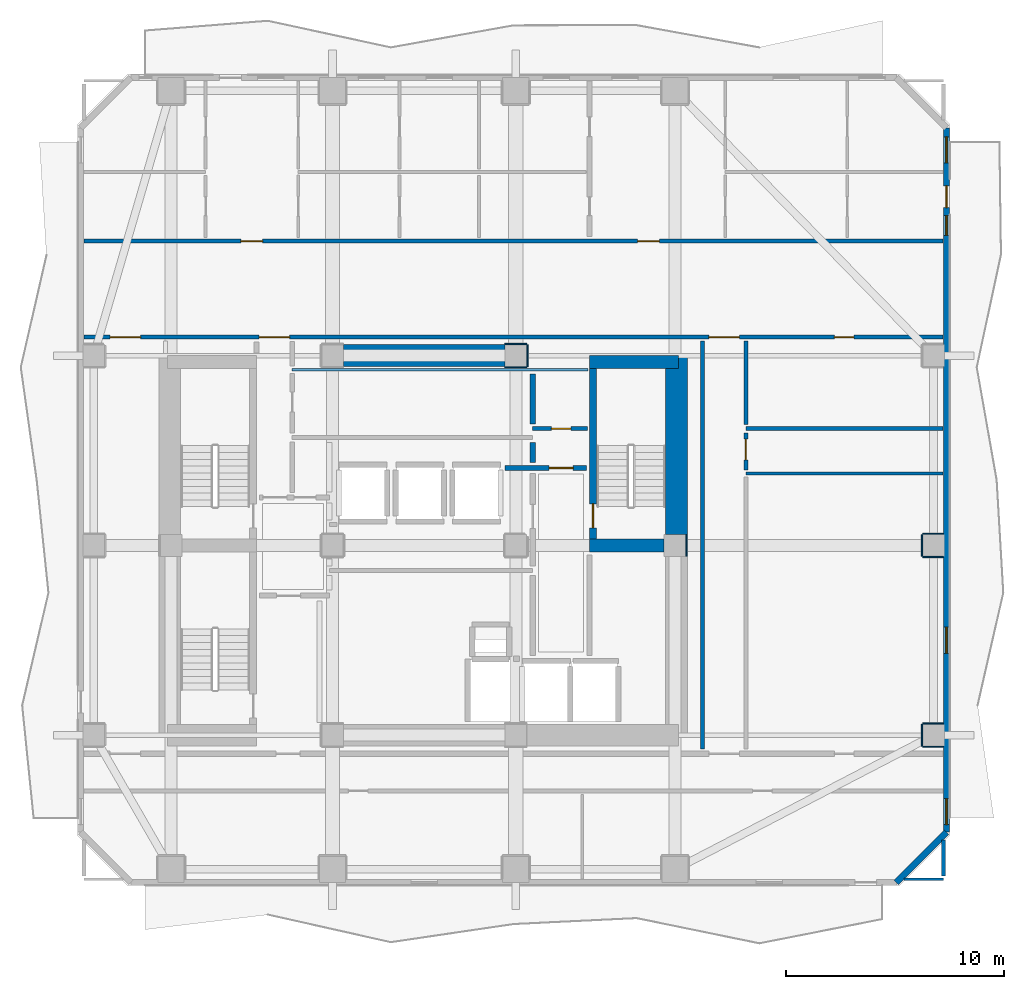
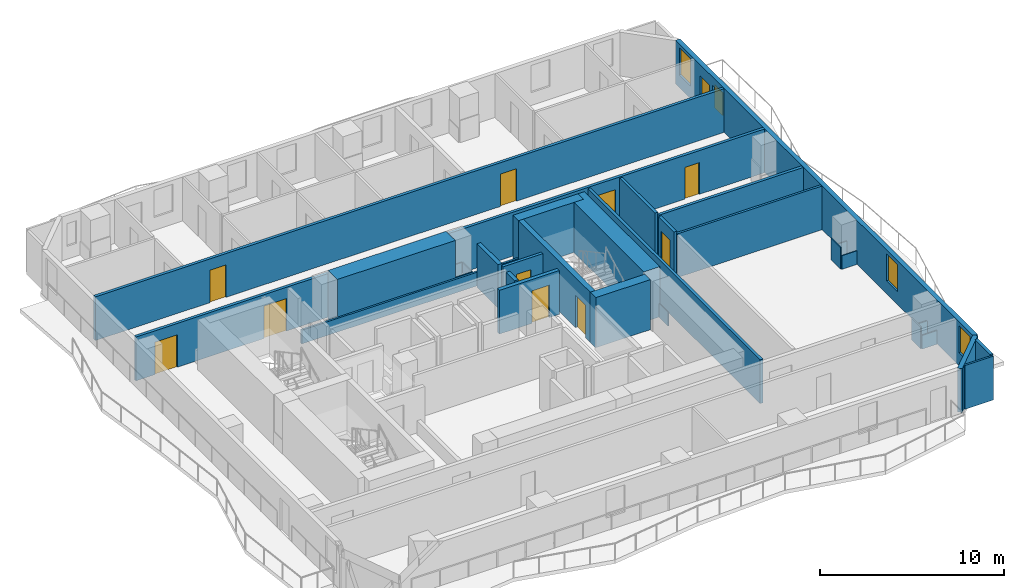
# One storey, part 4 of 9: 31 walls, 11 doors, 4 windows, 15 openings.
"""IFC4 building model written with IfcOpenShell, lengths in metres."""

from ifc_helpers import new_model, si_unit, direction, frame, frame_2d, origin, place, context, subcontext, project, spatial, rectangle, extrude, material, layer, layer_set, type_object, element, fill, save


model = new_model("IFC4")

# Units and contexts
model_context = context("Model", 3, precision=1e-05, world=origin(), true_north=direction((0.0, 1.0)))
body_context = subcontext(model_context, "Body", "Model", "MODEL_VIEW")
ifc_project = project(units=[si_unit("LENGTHUNIT", "METRE"), si_unit("AREAUNIT", "SQUARE_METRE"), si_unit("VOLUMEUNIT", "CUBIC_METRE"), si_unit("PLANEANGLEUNIT", "RADIAN"), si_unit("MASSUNIT", "GRAM", prefix="KILO")], contexts=[model_context])

# Site, building, storey
site_placement = place(None, origin())
site = spatial("IfcSite", under=ifc_project, at=site_placement, CompositionType="ELEMENT")
building_placement = place(site_placement, origin())
building = spatial("IfcBuilding", under=site, at=building_placement, Name="Solanera Arch Residences", CompositionType="ELEMENT")
storey_placement = place(building_placement, frame((0.0, 0.0, 162.52001953125)))
storey = spatial("IfcBuildingStorey", under=building, at=storey_placement, Name="L47", CompositionType="ELEMENT", Elevation=162.52001953125)

# Walls
ifc_material_1 = material(Name="Fire-Rated Gypsum Stud Partition", Category="gypsum")
ifc_layer_1 = layer(ifc_material_1, 0.06005859375)
ifc_layer_set_1 = layer_set([ifc_layer_1], Name="Fire-Rated Gypsum Stud Partition")
wall_type_1 = type_object("IfcWallType", Name="Column Acoustic Furring Wall 60", PredefinedType="PARTITIONING", material=ifc_layer_set_1)
for number, where, z_axis, x_axis, name in (
    (1, (28.699951171875, 38.867919921875, 0.0), (0.0, 0.0, 1.0), (1.0, 0.0, 0.0), "L47 Column Furring 4S"),
    (2, (28.699951171875, 39.931884765625, 0.0), (0.0, 0.0, 1.0), (1.0, 0.0, 0.0), "L47 Column Furring 4N"),
    (3, (29.73193359375, 38.89990234375, 0.0), (0.0, 0.0, 1.0), (0.0, 1.0, 0.0), "L47 Column Furring 4E"),
):
    element("IfcWall", number, at=place(storey_placement, frame(where, z_axis=z_axis, x_axis=x_axis)), inside=storey, type_object=wall_type_1, Name=name, PredefinedType="PARTITIONING", context=body_context, shape_type="SweptSolid", body=[
        extrude(rectangle(XDim=1.0, YDim=0.06005859375, at=frame_2d((0.5, 0.0))), origin(), (0.0, 0.0, 1.0), 0.905029296875),
    ])
wall_1_placement = place(storey_placement, frame((37.031982421875, 30.2099609375, 0.0), z_axis=(0.0, 0.0, 1.0), x_axis=(0.0, 1.0, 0.0)))
element("IfcWall", 4, at=wall_1_placement, inside=storey, type_object=wall_type_1, Name="L47 Column Furring 6E", PredefinedType="PARTITIONING", context=body_context, shape_type="SweptSolid", body=[
    extrude(rectangle(XDim=0.97998046875, YDim=0.06005859375, at=frame_2d((0.489990234375, 0.0))), origin(), (0.0, 0.0, 1.0), 0.905029296875),
])
for number, where, z_axis, x_axis, name in (
    (5, (47.85009765625, 21.468017578125, 0.0), (0.0, 0.0, 1.0), (1.0, 0.0, 0.0), "L47 Column Furring 18S"),
    (6, (47.85009765625, 22.531982421875, 0.0), (0.0, 0.0, 1.0), (1.0, 0.0, 0.0), "L47 Column Furring 18N"),
):
    element("IfcWall", number, at=place(storey_placement, frame(where, z_axis=z_axis, x_axis=x_axis)), inside=storey, type_object=wall_type_1, Name=name, PredefinedType="PARTITIONING", context=body_context, shape_type="SweptSolid", body=[
        extrude(rectangle(XDim=0.93994140625, YDim=0.06005859375, at=frame_2d((0.469970703125, 0.0))), origin(), (0.0, 0.0, 1.0), 0.905029296875),
    ])
wall_2_placement = place(storey_placement, frame((47.818115234375, 21.5, 0.0), z_axis=(0.0, 0.0, 1.0), x_axis=(0.0, 1.0, 0.0)))
element("IfcWall", 7, at=wall_2_placement, inside=storey, type_object=wall_type_1, Name="L47 Column Furring 18W", PredefinedType="PARTITIONING", context=body_context, shape_type="SweptSolid", body=[
    extrude(rectangle(XDim=1.0, YDim=0.06005859375, at=frame_2d((0.5, 0.0))), origin(), (0.0, 0.0, 1.0), 1.449951171875),
])
for number, where, z_axis, x_axis, name in (
    (8, (47.85009765625, 30.16796875, 0.0), (0.0, 0.0, 1.0), (1.0, 0.0, 0.0), "L47 Column Furring 20S"),
    (9, (47.85009765625, 31.23193359375, 0.0), (0.0, 0.0, 1.0), (1.0, 0.0, 0.0), "L47 Column Furring 20N"),
):
    element("IfcWall", number, at=place(storey_placement, frame(where, z_axis=z_axis, x_axis=x_axis)), inside=storey, type_object=wall_type_1, Name=name, PredefinedType="PARTITIONING", context=body_context, shape_type="SweptSolid", body=[
        extrude(rectangle(XDim=0.93994140625, YDim=0.06005859375, at=frame_2d((0.469970703125, 0.0))), origin(), (0.0, 0.0, 1.0), 0.905029296875),
    ])
wall_3_placement = place(storey_placement, frame((47.818115234375, 30.199951171875, 0.0), z_axis=(0.0, 0.0, 1.0), x_axis=(0.0, 1.0, 0.0)))
element("IfcWall", 10, at=wall_3_placement, inside=storey, type_object=wall_type_1, Name="L47 Column Furring 20W", PredefinedType="PARTITIONING", context=body_context, shape_type="SweptSolid", body=[
    extrude(rectangle(XDim=1.0, YDim=0.06005859375, at=frame_2d((0.5, 0.0))), origin(), (0.0, 0.0, 1.0), 1.449951171875),
])
ifc_material_2 = material(Name="Concrete C55/67 (f'c = 60 MPa)", Category="concrete")
ifc_layer_2 = layer(ifc_material_2, 1.0)
ifc_layer_set_2 = layer_set([ifc_layer_2], Name="Concrete C55/67 (f'c = 60 MPa)")
wall_type_2 = type_object("IfcWallType", Name="Core Shear Wall CW-1000", PredefinedType="SHEAR", material=ifc_layer_set_2)
wall_4_placement = place(storey_placement, frame((36.56005859375, 31.205078125, 0.0), z_axis=(0.0, 0.0, 1.0), x_axis=(0.0, 1.0, 0.0)))
element("IfcWall", 11, at=wall_4_placement, inside=storey, type_object=wall_type_2, Name="L47 East Core North Shear Wall", PredefinedType="SHEAR", context=body_context, shape_type="SweptSolid", body=[
    extrude(rectangle(XDim=8.19482421875, YDim=1.0, at=frame_2d((4.097412109375, 0.0))), origin(), (0.0, 0.0, 1.0), 3.320068359375),
])
wall_5_placement = place(storey_placement, frame((21.304931640625, 39.39990234375, 0.0), z_axis=(0.0, 0.0, 1.0), x_axis=(1.0, 0.0, 0.0)))
element("IfcWall", 12, at=wall_5_placement, inside=storey, type_object=wall_type_2, Name="L47 Central North Core Shear Wall", PredefinedType="SHEAR", context=body_context, shape_type="SweptSolid", body=[
    extrude(rectangle(XDim=7.39013671875, YDim=1.0, at=frame_2d((3.695068359375, 0.0))), origin(), (0.0, 0.0, 1.0), 3.320068359375),
])

# Wall, opening, door
ifc_material_3 = material(Name="Concrete C40/50 (f'c = 45 MPa)", Category="concrete")
ifc_layer_3 = layer(ifc_material_3, 0.320068359375)
ifc_layer_set_3 = layer_set([ifc_layer_3], Name="Concrete C40/50 (f'c = 45 MPa)")
wall_type_3 = type_object("IfcWallType", Name="Core Shear Wall CW-320", PredefinedType="SHEAR", material=ifc_layer_set_3)
wall_6_placement = place(storey_placement, frame((32.739990234375, 31.0, 0.0), z_axis=(0.0, 0.0, 1.0), x_axis=(0.0, 1.0, 0.0)))
wall_6 = element("IfcWall", 13, at=wall_6_placement, inside=storey, type_object=wall_type_3, Name="L47 Stair ST-T2 West Shear Wall", PredefinedType="SHEAR", context=body_context, shape_type="SweptSolid", body=[
    extrude(rectangle(XDim=7.800048828125, YDim=0.320068359375, at=frame_2d((3.89990234375, 0.0))), origin(), (0.0, 0.0, 1.0), 3.320068359375),
])
opening_1_placement = place(wall_6_placement, frame((0.510009765625, 0.0, 0.0)))
opening_1 = element("IfcOpeningElement", 14, at=opening_1_placement, cuts=wall_6, Name="Opening DF-01", PredefinedType="OPENING", context=body_context, shape_type="SweptSolid", body=[
    extrude(rectangle(XDim=1.10009765625, YDim=2.14990234375, at=frame_2d((0.550048828125, 1.074951171875))), frame((0.0, 0.169921875, 0.0), z_axis=(0.0, -1.0, 0.0), x_axis=(1.0, 0.0, 0.0)), (0.0, 0.0, 1.0), 0.3401),
])
ifc_material_4 = material(Name="Fire-Rated Architectural Hardwood", Category="wood")
door_type_1 = type_object("IfcDoorType", Name="Stair Exit Fire Door DF-01", OperationType="NOTDEFINED", PredefinedType="DOOR", material=ifc_material_4)
door_1_placement = place(opening_1_placement, origin())
door_1 = element("IfcDoor", 15, at=door_1_placement, inside=storey, type_object=door_type_1, Name="DR-L47-STAIR-ST-T2", OperationType="SINGLE_SWING_RIGHT", OverallHeight=2.14990234375, OverallWidth=1.10009765625, PredefinedType="DOOR", context=body_context, shape_type="SweptSolid", body=[
    extrude(rectangle(XDim=1.10009765625, YDim=2.14990234375, at=frame_2d((0.550048828125, 1.074951171875))), frame((0.0, 0.02490234375, 0.0), z_axis=(0.0, -1.0, 0.0), x_axis=(1.0, 0.0, 0.0)), (0.0, 0.0, 1.0), 0.050048828125),
])
fill(opening_1, door_1)

# Walls
ifc_material_5 = material(Name="Concrete C40/50 (f'c = 45 MPa)", Category="concrete")
ifc_layer_4 = layer(ifc_material_5, 0.60009765625)
ifc_layer_set_4 = layer_set([ifc_layer_4], Name="Concrete C40/50 (f'c = 45 MPa)")
wall_type_4 = type_object("IfcWallType", Name="Core Shear Wall CW-600", PredefinedType="SHEAR", material=ifc_layer_set_4)
wall_7_placement = place(storey_placement, frame((32.580078125, 39.10009765625, 0.0), z_axis=(0.0, 0.0, 1.0), x_axis=(1.0, 0.0, 0.0)))
element("IfcWall", 16, at=wall_7_placement, inside=storey, type_object=wall_type_4, Name="L47 North-East Core Shear Wall", PredefinedType="SHEAR", context=body_context, shape_type="SweptSolid", body=[
    extrude(rectangle(XDim=4.079833984375, YDim=0.60009765625, at=frame_2d((2.0400390625, 0.0))), origin(), (0.0, 0.0, 1.0), 3.320068359375),
])
wall_8_placement = place(storey_placement, frame((32.580078125, 30.699951171875, 0.0), z_axis=(0.0, 0.0, 1.0), x_axis=(1.0, 0.0, 0.0)))
element("IfcWall", 17, at=wall_8_placement, inside=storey, type_object=wall_type_4, Name="L47 East Stair Far-Landing Shear Wall", PredefinedType="SHEAR", context=body_context, shape_type="SweptSolid", body=[
    extrude(rectangle(XDim=3.4150390625, YDim=0.60009765625, at=frame_2d((1.70751953125, 0.0))), origin(), (0.0, 0.0, 1.0), 3.320068359375),
])

# Wall, opening, door
ifc_material_6 = material(Name="Autoclaved Aerated Concrete Blockwork", Category="masonry")
ifc_layer_5 = layer(ifc_material_6, 0.179931640625)
ifc_layer_set_5 = layer_set([ifc_layer_5], Name="Autoclaved Aerated Concrete Blockwork")
wall_type_5 = type_object("IfcWallType", Name="Corridor Fire Partition 180", PredefinedType="PARTITIONING", material=ifc_layer_set_5)
wall_9_placement = place(storey_placement, frame((29.97509765625, 36.050048828125, 0.0), z_axis=(0.0, 0.0, 1.0), x_axis=(1.0, 0.0, 0.0)))
wall_9 = element("IfcWall", 18, at=wall_9_placement, inside=storey, type_object=wall_type_5, Name="L47 Interior Partition H10", PredefinedType="PARTITIONING", context=body_context, shape_type="SweptSolid", body=[
    extrude(rectangle(XDim=2.5048828125, YDim=0.179931640625, at=frame_2d((1.25244140625, 0.0))), origin(), (0.0, 0.0, 1.0), 2.89990234375),
])
opening_2_placement = place(wall_9_placement, frame((0.85205078125, 0.0, 0.0)))
opening_2 = element("IfcOpeningElement", 19, at=opening_2_placement, cuts=wall_9, Name="Opening DI-02", PredefinedType="OPENING", context=body_context, shape_type="SweptSolid", body=[
    extrude(rectangle(XDim=0.89990234375, YDim=2.10009765625, at=frame_2d((0.449951171875, 1.050048828125))), frame((0.0, 0.10009765625, 0.0), z_axis=(0.0, -1.0, 0.0), x_axis=(1.0, 0.0, 0.0)), (0.0, 0.0, 1.0), 0.1999),
])
ifc_material_7 = material(Name="Fire-Rated Architectural Hardwood", Category="wood")
door_type_2 = type_object("IfcDoorType", Name="Suite Room Swing Door DI-02", OperationType="NOTDEFINED", PredefinedType="DOOR", material=ifc_material_7)
door_2_placement = place(opening_2_placement, origin())
door_2 = element("IfcDoor", 20, at=door_2_placement, inside=storey, type_object=door_type_2, Name="DR-L47-IN-015", OperationType="SINGLE_SWING_LEFT", OverallHeight=2.10009765625, OverallWidth=0.89990234375, PredefinedType="DOOR", context=body_context, shape_type="SweptSolid", body=[
    extrude(rectangle(XDim=0.89990234375, YDim=2.10009765625, at=frame_2d((0.449951171875, 1.050048828125))), frame((0.0, 0.02490234375, 0.0), z_axis=(0.0, -1.0, 0.0), x_axis=(1.0, 0.0, 0.0)), (0.0, 0.0, 1.0), 0.050048828125),
])
fill(opening_2, door_2)

# Wall
wall_10_placement = place(storey_placement, frame((39.75, 36.050048828125, 0.0), z_axis=(0.0, 0.0, 1.0), x_axis=(1.0, 0.0, 0.0)))
element("IfcWall", 21, at=wall_10_placement, inside=storey, type_object=wall_type_5, Name="L47 Interior Partition H11", PredefinedType="PARTITIONING", context=body_context, shape_type="SweptSolid", body=[
    extrude(rectangle(XDim=9.04296875, YDim=0.179931640625, at=frame_2d((4.521484375, 0.0))), origin(), (0.0, 0.0, 1.0), 2.89990234375),
])

# Wall, openings, doors
wall_11_placement = place(storey_placement, frame((9.406982421875, 40.25, 0.0), z_axis=(0.0, 0.0, 1.0), x_axis=(1.0, 0.0, 0.0)))
wall_11 = element("IfcWall", 22, at=wall_11_placement, inside=storey, type_object=wall_type_5, Name="L47 Interior Partition H12", PredefinedType="PARTITIONING", context=body_context, shape_type="SweptSolid", body=[
    extrude(rectangle(XDim=39.385986328125, YDim=0.179931640625, at=frame_2d((19.69287109375, 0.0))), origin(), (0.0, 0.0, 1.0), 2.89990234375),
])
opening_3_placement = place(wall_11_placement, frame((8.028076171875, 0.0, 0.0)))
opening_3 = element("IfcOpeningElement", 23, at=opening_3_placement, cuts=wall_11, Name="Opening DF-03", PredefinedType="OPENING", context=body_context, shape_type="SweptSolid", body=[
    extrude(rectangle(XDim=1.39990234375, YDim=2.14990234375, at=frame_2d((0.699951171875, 1.074951171875))), frame((0.0, 0.10009765625, 0.0), z_axis=(0.0, -1.0, 0.0), x_axis=(1.0, 0.0, 0.0)), (0.0, 0.0, 1.0), 0.1999),
])
opening_4_placement = place(wall_11_placement, frame((1.19189453125, 0.0, 0.0)))
opening_4 = element("IfcOpeningElement", 24, at=opening_4_placement, cuts=wall_11, Name="Opening DF-03", PredefinedType="OPENING", context=body_context, shape_type="SweptSolid", body=[
    extrude(rectangle(XDim=1.39990234375, YDim=2.14990234375, at=frame_2d((0.699951171875, 1.074951171875))), frame((0.0, 0.10009765625, 0.0), z_axis=(0.0, -1.0, 0.0), x_axis=(1.0, 0.0, 0.0)), (0.0, 0.0, 1.0), 0.1999),
])
opening_5_placement = place(wall_11_placement, frame((28.64306640625, 0.0, 0.0)))
opening_5 = element("IfcOpeningElement", 25, at=opening_5_placement, cuts=wall_11, Name="Opening DF-03", PredefinedType="OPENING", context=body_context, shape_type="SweptSolid", body=[
    extrude(rectangle(XDim=1.39990234375, YDim=2.14990234375, at=frame_2d((0.699951171875, 1.074951171875))), frame((0.0, 0.10009765625, 0.0), z_axis=(0.0, -1.0, 0.0), x_axis=(1.0, 0.0, 0.0)), (0.0, 0.0, 1.0), 0.1999),
])
opening_6_placement = place(wall_11_placement, frame((34.39404296875, 0.0, 0.0)))
opening_6 = element("IfcOpeningElement", 26, at=opening_6_placement, cuts=wall_11, Name="Opening DI-02", PredefinedType="OPENING", context=body_context, shape_type="SweptSolid", body=[
    extrude(rectangle(XDim=0.89990234375, YDim=2.10009765625, at=frame_2d((0.449951171875, 1.050048828125))), frame((0.0, 0.10009765625, 0.0), z_axis=(0.0, -1.0, 0.0), x_axis=(1.0, 0.0, 0.0)), (0.0, 0.0, 1.0), 0.1999),
])
ifc_material_8 = material(Name="Fire-Rated Architectural Hardwood", Category="wood")
door_type_3 = type_object("IfcDoorType", Name="Corridor Smoke Door DF-03", OperationType="NOTDEFINED", PredefinedType="DOOR", material=ifc_material_8)
door_3_placement = place(opening_3_placement, origin())
door_3 = element("IfcDoor", 27, at=door_3_placement, inside=storey, type_object=door_type_3, Name="DR-L47-IN-009", OperationType="SINGLE_SWING_LEFT", OverallHeight=2.14990234375, OverallWidth=1.39990234375, PredefinedType="DOOR", context=body_context, shape_type="SweptSolid", body=[
    extrude(rectangle(XDim=1.39990234375, YDim=2.14990234375, at=frame_2d((0.699951171875, 1.074951171875))), frame((0.0, 0.02490234375, 0.0), z_axis=(0.0, -1.0, 0.0), x_axis=(1.0, 0.0, 0.0)), (0.0, 0.0, 1.0), 0.050048828125),
])
fill(opening_3, door_3)
door_4_placement = place(opening_4_placement, origin())
door_4 = element("IfcDoor", 28, at=door_4_placement, inside=storey, type_object=door_type_3, Name="DR-L47-IN-012", OperationType="SINGLE_SWING_RIGHT", OverallHeight=2.14990234375, OverallWidth=1.39990234375, PredefinedType="DOOR", context=body_context, shape_type="SweptSolid", body=[
    extrude(rectangle(XDim=1.39990234375, YDim=2.14990234375, at=frame_2d((0.699951171875, 1.074951171875))), frame((0.0, 0.02490234375, 0.0), z_axis=(0.0, -1.0, 0.0), x_axis=(1.0, 0.0, 0.0)), (0.0, 0.0, 1.0), 0.050048828125),
])
fill(opening_4, door_4)
door_5_placement = place(opening_5_placement, origin())
door_5 = element("IfcDoor", 29, at=door_5_placement, inside=storey, type_object=door_type_3, Name="DR-L47-IN-013", OperationType="SINGLE_SWING_LEFT", OverallHeight=2.14990234375, OverallWidth=1.39990234375, PredefinedType="DOOR", context=body_context, shape_type="SweptSolid", body=[
    extrude(rectangle(XDim=1.39990234375, YDim=2.14990234375, at=frame_2d((0.699951171875, 1.074951171875))), frame((0.0, 0.02490234375, 0.0), z_axis=(0.0, -1.0, 0.0), x_axis=(1.0, 0.0, 0.0)), (0.0, 0.0, 1.0), 0.050048828125),
])
fill(opening_5, door_5)
door_6_placement = place(opening_6_placement, origin())
door_6 = element("IfcDoor", 30, at=door_6_placement, inside=storey, type_object=door_type_2, Name="DR-L47-IN-035", OperationType="SINGLE_SWING_LEFT", OverallHeight=2.10009765625, OverallWidth=0.89990234375, PredefinedType="DOOR", context=body_context, shape_type="SweptSolid", body=[
    extrude(rectangle(XDim=0.89990234375, YDim=2.10009765625, at=frame_2d((0.449951171875, 1.050048828125))), frame((0.0, 0.02490234375, 0.0), z_axis=(0.0, -1.0, 0.0), x_axis=(1.0, 0.0, 0.0)), (0.0, 0.0, 1.0), 0.050048828125),
])
fill(opening_6, door_6)

wall_12_placement = place(storey_placement, frame((9.406982421875, 44.64990234375, 0.0), z_axis=(0.0, 0.0, 1.0), x_axis=(1.0, 0.0, 0.0)))
wall_12 = element("IfcWall", 31, at=wall_12_placement, inside=storey, type_object=wall_type_5, Name="L47 Interior Partition H13", PredefinedType="PARTITIONING", context=body_context, shape_type="SweptSolid", body=[
    extrude(rectangle(XDim=39.385986328125, YDim=0.179931640625, at=frame_2d((19.69287109375, 0.0))), origin(), (0.0, 0.0, 1.0), 2.89990234375),
])
opening_7_placement = place(wall_12_placement, frame((7.193115234375, 0.0, 0.0)))
opening_7 = element("IfcOpeningElement", 32, at=opening_7_placement, cuts=wall_12, Name="Opening DI-01", PredefinedType="OPENING", context=body_context, shape_type="SweptSolid", body=[
    extrude(rectangle(XDim=1.0, YDim=2.14990234375, at=frame_2d((0.5, 1.074951171875))), frame((0.0, 0.10009765625, 0.0), z_axis=(0.0, -1.0, 0.0), x_axis=(1.0, 0.0, 0.0)), (0.0, 0.0, 1.0), 0.1999),
])
opening_8_placement = place(wall_12_placement, frame((25.37890625, 0.0, 0.0)))
opening_8 = element("IfcOpeningElement", 33, at=opening_8_placement, cuts=wall_12, Name="Opening DI-01", PredefinedType="OPENING", context=body_context, shape_type="SweptSolid", body=[
    extrude(rectangle(XDim=1.0, YDim=2.14990234375, at=frame_2d((0.5, 1.074951171875))), frame((0.0, 0.10009765625, 0.0), z_axis=(0.0, -1.0, 0.0), x_axis=(1.0, 0.0, 0.0)), (0.0, 0.0, 1.0), 0.1999),
])
ifc_material_9 = material(Name="Fire-Rated Architectural Hardwood", Category="wood")
door_type_4 = type_object("IfcDoorType", Name="Unit Entrance Fire Door DI-01", OperationType="NOTDEFINED", PredefinedType="DOOR", material=ifc_material_9)
door_7_placement = place(opening_7_placement, origin())
door_7 = element("IfcDoor", 34, at=door_7_placement, inside=storey, type_object=door_type_4, Name="DR-L47-IN-019", OperationType="SINGLE_SWING_LEFT", OverallHeight=2.14990234375, OverallWidth=1.0, PredefinedType="DOOR", context=body_context, shape_type="SweptSolid", body=[
    extrude(rectangle(XDim=1.0, YDim=2.14990234375, at=frame_2d((0.5, 1.074951171875))), frame((0.0, 0.02490234375, 0.0), z_axis=(0.0, -1.0, 0.0), x_axis=(1.0, 0.0, 0.0)), (0.0, 0.0, 1.0), 0.050048828125),
])
fill(opening_7, door_7)
door_8_placement = place(opening_8_placement, origin())
door_8 = element("IfcDoor", 35, at=door_8_placement, inside=storey, type_object=door_type_4, Name="DR-L47-IN-026", OperationType="SINGLE_SWING_RIGHT", OverallHeight=2.14990234375, OverallWidth=1.0, PredefinedType="DOOR", context=body_context, shape_type="SweptSolid", body=[
    extrude(rectangle(XDim=1.0, YDim=2.14990234375, at=frame_2d((0.5, 1.074951171875))), frame((0.0, 0.02490234375, 0.0), z_axis=(0.0, -1.0, 0.0), x_axis=(1.0, 0.0, 0.0)), (0.0, 0.0, 1.0), 0.050048828125),
])
fill(opening_8, door_8)

# Wall
wall_13_placement = place(storey_placement, frame((37.75, 21.367919921875, 0.0), z_axis=(0.0, 0.0, 1.0), x_axis=(0.0, 1.0, 0.0)))
element("IfcWall", 36, at=wall_13_placement, inside=storey, type_object=wall_type_5, Name="L47 Interior Partition V11", PredefinedType="PARTITIONING", context=body_context, shape_type="SweptSolid", body=[
    extrude(rectangle(XDim=18.694091796875, YDim=0.179931640625, at=frame_2d((9.34716796875, 0.0))), origin(), (0.0, 0.0, 1.0), 2.89990234375),
])

# Wall, opening, door
wall_14_placement = place(storey_placement, frame((39.75, 34.16796875, 0.0), z_axis=(0.0, 0.0, 1.0), x_axis=(0.0, 1.0, 0.0)))
wall_14 = element("IfcWall", 37, at=wall_14_placement, inside=storey, type_object=wall_type_5, Name="L47 Interior Partition V12 2", PredefinedType="PARTITIONING", context=body_context, shape_type="SweptSolid", body=[
    extrude(rectangle(XDim=1.694091796875, YDim=0.179931640625, at=frame_2d((0.84716796875, 0.0))), origin(), (0.0, 0.0, 1.0), 2.89990234375),
])
opening_9_placement = place(wall_14_placement, frame((0.45703125, 0.0, 0.0)))
opening_9 = element("IfcOpeningElement", 38, at=opening_9_placement, cuts=wall_14, Name="Opening DI-04", PredefinedType="OPENING", context=body_context, shape_type="SweptSolid", body=[
    extrude(rectangle(XDim=0.949951171875, YDim=2.10009765625, at=frame_2d((0.47509765625, 1.050048828125))), frame((0.0, 0.10009765625, 0.0), z_axis=(0.0, -1.0, 0.0), x_axis=(1.0, 0.0, 0.0)), (0.0, 0.0, 1.0), 0.1999),
])
ifc_material_10 = material(Name="Fire-Rated Architectural Hardwood", Category="wood")
door_type_5 = type_object("IfcDoorType", Name="Accessible Restroom Door DI-04", OperationType="NOTDEFINED", PredefinedType="DOOR", material=ifc_material_10)
door_9_placement = place(opening_9_placement, origin())
door_9 = element("IfcDoor", 39, at=door_9_placement, inside=storey, type_object=door_type_5, Name="DR-L47-IN-034", OperationType="SINGLE_SWING_RIGHT", OverallHeight=2.10009765625, OverallWidth=0.949951171875, PredefinedType="DOOR", context=body_context, shape_type="SweptSolid", body=[
    extrude(rectangle(XDim=0.949951171875, YDim=2.10009765625, at=frame_2d((0.47509765625, 1.050048828125))), frame((0.0, 0.02490234375, 0.0), z_axis=(0.0, -1.0, 0.0), x_axis=(1.0, 0.0, 0.0)), (0.0, 0.0, 1.0), 0.050048828125),
])
fill(opening_9, door_9)

# Walls
wall_15_placement = place(storey_placement, frame((39.75, 36.238037109375, 0.0), z_axis=(0.0, 0.0, 1.0), x_axis=(0.0, 1.0, 0.0)))
element("IfcWall", 40, at=wall_15_placement, inside=storey, type_object=wall_type_5, Name="L47 Interior Partition V12 3", PredefinedType="PARTITIONING", context=body_context, shape_type="SweptSolid", body=[
    extrude(rectangle(XDim=3.823974609375, YDim=0.179931640625, at=frame_2d((1.912109375, 0.0))), origin(), (0.0, 0.0, 1.0), 2.89990234375),
])
wall_16_placement = place(storey_placement, frame((48.800048828125, 15.55810546875, 0.0), z_axis=(0.0, 0.0, 1.0), x_axis=(0.0, 1.0, 0.0)))
element("IfcWall", 41, at=wall_16_placement, inside=storey, type_object=wall_type_5, Name="L47 Interior Partition V13 1", PredefinedType="PARTITIONING", context=body_context, shape_type="SweptSolid", body=[
    extrude(rectangle(XDim=1.636962890625, YDim=0.179931640625, at=frame_2d((0.818359375, 0.0))), origin(), (0.0, 0.0, 1.0), 2.89990234375),
])

# Wall, openings, door, windows
ifc_material_11 = material(Name="Precast Concrete C35/45", Category="concrete")
ifc_layer_6 = layer(ifc_material_11, 0.280029296875)
ifc_layer_set_6 = layer_set([ifc_layer_6], Name="Precast Concrete C35/45")
wall_type_6 = type_object("IfcWallType", Name="Exterior Wall Precast Masonry-Frame 280", PredefinedType="STANDARD", material=ifc_layer_set_6)
wall_17_placement = place(storey_placement, frame((48.945068359375, 49.844970703125, 0.0), z_axis=(0.0, 0.0, 1.0), x_axis=(0.0, -1.0, 0.0)))
wall_17 = element("IfcWall", 42, at=wall_17_placement, inside=storey, type_object=wall_type_6, Name="L47 Tower Exterior Precast Masonry-Frame Wall E", PredefinedType="STANDARD", context=body_context, shape_type="SweptSolid", body=[
    extrude(rectangle(XDim=32.2900390625, YDim=0.280029296875, at=frame_2d((16.14501953125, 0.0))), origin(), (0.0, 0.0, 1.0), 2.89990234375),
])
opening_10_placement = place(wall_17_placement, frame((2.658935546875, 0.0, 0.0)))
opening_10 = element("IfcOpeningElement", 43, at=opening_10_placement, cuts=wall_17, Name="Opening DB-01", PredefinedType="OPENING", context=body_context, shape_type="SweptSolid", body=[
    extrude(rectangle(XDim=1.0, YDim=2.14990234375, at=frame_2d((0.5, 1.074951171875))), frame((0.0, 0.14990234375, 0.0), z_axis=(0.0, -1.0, 0.0), x_axis=(1.0, 0.0, 0.0)), (0.0, 0.0, 1.0), 0.3),
])
opening_11_placement = place(wall_17_placement, frame((30.7470703125, 0.0, 0.85009765625)))
opening_11 = element("IfcOpeningElement", 44, at=opening_11_placement, cuts=wall_17, Name="Opening W-01", PredefinedType="OPENING", context=body_context, shape_type="SweptSolid", body=[
    extrude(rectangle(XDim=1.199951171875, YDim=1.800048828125, at=frame_2d((0.60009765625, 0.89990234375))), frame((0.0, 0.14990234375, 0.0), z_axis=(0.0, -1.0, 0.0), x_axis=(1.0, 0.0, 0.0)), (0.0, 0.0, 1.0), 0.3),
])
opening_12_placement = place(wall_17_placement, frame((4.027099609375, 0.0, 0.85009765625)))
opening_12 = element("IfcOpeningElement", 45, at=opening_12_placement, cuts=wall_17, Name="Opening W-06", PredefinedType="OPENING", context=body_context, shape_type="SweptSolid", body=[
    extrude(rectangle(XDim=0.89990234375, YDim=1.5, at=frame_2d((0.449951171875, 0.75))), frame((0.0, 0.14990234375, 0.0), z_axis=(0.0, -1.0, 0.0), x_axis=(1.0, 0.0, 0.0)), (0.0, 0.0, 1.0), 0.3),
])
opening_13_placement = place(wall_17_placement, frame((0.412109375, 0.0, 0.85009765625)))
opening_13 = element("IfcOpeningElement", 46, at=opening_13_placement, cuts=wall_17, Name="Opening W-01", PredefinedType="OPENING", context=body_context, shape_type="SweptSolid", body=[
    extrude(rectangle(XDim=1.199951171875, YDim=1.800048828125, at=frame_2d((0.60009765625, 0.89990234375))), frame((0.0, 0.14990234375, 0.0), z_axis=(0.0, -1.0, 0.0), x_axis=(1.0, 0.0, 0.0)), (0.0, 0.0, 1.0), 0.3),
])
opening_14_placement = place(wall_17_placement, frame((22.89501953125, 0.0, 0.85009765625)))
opening_14 = element("IfcOpeningElement", 47, at=opening_14_placement, cuts=wall_17, Name="Opening W-01", PredefinedType="OPENING", context=body_context, shape_type="SweptSolid", body=[
    extrude(rectangle(XDim=1.199951171875, YDim=1.800048828125, at=frame_2d((0.60009765625, 0.89990234375))), frame((0.0, 0.14990234375, 0.0), z_axis=(0.0, -1.0, 0.0), x_axis=(1.0, 0.0, 0.0)), (0.0, 0.0, 1.0), 0.3),
])
ifc_material_12 = material(Name="Anodised Aluminium Alloy 6063-T6", Category="aluminium")
door_type_6 = type_object("IfcDoorType", Name="Glazed Balcony Swing Door DB-01", OperationType="NOTDEFINED", PredefinedType="DOOR", material=ifc_material_12)
door_10_placement = place(opening_10_placement, origin())
door_10 = element("IfcDoor", 48, at=door_10_placement, inside=storey, type_object=door_type_6, Name="DR-L47-OUT-03", OperationType="SINGLE_SWING_LEFT", OverallHeight=2.14990234375, OverallWidth=1.0, PredefinedType="DOOR", context=body_context, shape_type="SweptSolid", body=[
    extrude(rectangle(XDim=1.0, YDim=2.14990234375, at=frame_2d((0.5, 1.074951171875))), frame((0.0, 0.02490234375, 0.0), z_axis=(0.0, -1.0, 0.0), x_axis=(1.0, 0.0, 0.0)), (0.0, 0.0, 1.0), 0.050048828125),
])
fill(opening_10, door_10)
ifc_material_13 = material(Name="Double Glazed Low-E Laminated Glass", Category="glass")
window_type_1 = type_object("IfcWindowType", Name="Punched Window W-01", PartitioningType="SINGLE_PANEL", PredefinedType="WINDOW", material=ifc_material_13)
window_1_placement = place(opening_11_placement, origin())
window_1 = element("IfcWindow", 49, at=window_1_placement, inside=storey, type_object=window_type_1, Name="L47 AMN-BRD Punched Window", OverallHeight=1.800048828125, OverallWidth=1.199951171875, PartitioningType="SINGLE_PANEL", PredefinedType="WINDOW", context=body_context, shape_type="SweptSolid", body=[
    extrude(rectangle(XDim=1.199951171875, YDim=1.800048828125, at=frame_2d((0.60009765625, 0.89990234375))), frame((0.0, 0.030029296875, 0.0), z_axis=(0.0, -1.0, 0.0), x_axis=(1.0, 0.0, 0.0)), (0.0, 0.0, 1.0), 0.06005859375),
])
fill(opening_11, window_1)
window_2_placement = place(opening_13_placement, origin())
window_2 = element("IfcWindow", 50, at=window_2_placement, inside=storey, type_object=window_type_1, Name="L47 4702-BR3 Punched Window", OverallHeight=1.800048828125, OverallWidth=1.199951171875, PartitioningType="SINGLE_PANEL", PredefinedType="WINDOW", context=body_context, shape_type="SweptSolid", body=[
    extrude(rectangle(XDim=1.199951171875, YDim=1.800048828125, at=frame_2d((0.60009765625, 0.89990234375))), frame((0.0, 0.030029296875, 0.0), z_axis=(0.0, -1.0, 0.0), x_axis=(1.0, 0.0, 0.0)), (0.0, 0.0, 1.0), 0.06005859375),
])
fill(opening_13, window_2)
window_3_placement = place(opening_14_placement, origin())
window_3 = element("IfcWindow", 51, at=window_3_placement, inside=storey, type_object=window_type_1, Name="L47 AMN-BIL Punched Window", OverallHeight=1.800048828125, OverallWidth=1.199951171875, PartitioningType="SINGLE_PANEL", PredefinedType="WINDOW", context=body_context, shape_type="SweptSolid", body=[
    extrude(rectangle(XDim=1.199951171875, YDim=1.800048828125, at=frame_2d((0.60009765625, 0.89990234375))), frame((0.0, 0.030029296875, 0.0), z_axis=(0.0, -1.0, 0.0), x_axis=(1.0, 0.0, 0.0)), (0.0, 0.0, 1.0), 0.06005859375),
])
fill(opening_14, window_3)
ifc_material_14 = material(Name="Double Glazed Low-E Laminated Glass", Category="glass")
window_type_2 = type_object("IfcWindowType", Name="Punched Window W-06", PartitioningType="SINGLE_PANEL", PredefinedType="WINDOW", material=ifc_material_14)
window_4_placement = place(opening_12_placement, origin())
window_4 = element("IfcWindow", 52, at=window_4_placement, inside=storey, type_object=window_type_2, Name="L47 4702-STD Punched Window", OverallHeight=1.5, OverallWidth=0.89990234375, PartitioningType="SINGLE_PANEL", PredefinedType="WINDOW", context=body_context, shape_type="SweptSolid", body=[
    extrude(rectangle(XDim=0.89990234375, YDim=1.5, at=frame_2d((0.449951171875, 0.75))), frame((0.0, 0.030029296875, 0.0), z_axis=(0.0, -1.0, 0.0), x_axis=(1.0, 0.0, 0.0)), (0.0, 0.0, 1.0), 0.06005859375),
])
fill(opening_12, window_4)

# Wall
wall_18_placement = place(storey_placement, frame((48.945068359375, 17.554931640625, 0.0), z_axis=(0.0, 0.0, 1.0), x_axis=(-0.707106781187, -0.707106781187, 0.0)))
element("IfcWall", 53, at=wall_18_placement, inside=storey, type_object=wall_type_6, Name="L47 Tower Exterior Precast Masonry-Frame Wall CH5", PredefinedType="STANDARD", context=body_context, shape_type="SweptSolid", body=[
    extrude(rectangle(XDim=3.252685546875, YDim=0.280029296875, at=frame_2d((1.62646484375, 0.0))), origin(), (0.0, 0.0, 1.0), 2.89990234375),
])

# Wall, opening, door
ifc_material_15 = material(Name="Autoclaved Aerated Concrete Blockwork", Category="masonry")
ifc_layer_7 = layer(ifc_material_15, 0.239990234375)
ifc_layer_set_7 = layer_set([ifc_layer_7], Name="Autoclaved Aerated Concrete Blockwork")
wall_type_7 = type_object("IfcWallType", Name="Shaft Wall Fire-Rated 240", PredefinedType="PARTITIONING", material=ifc_layer_set_7)
wall_19_placement = place(storey_placement, frame((28.701904296875, 34.25, 0.0), z_axis=(0.0, 0.0, 1.0), x_axis=(1.0, 0.0, 0.0)))
wall_19 = element("IfcWall", 54, at=wall_19_placement, inside=storey, type_object=wall_type_7, Name="L47 Interior Partition H5", PredefinedType="PARTITIONING", context=body_context, shape_type="SweptSolid", body=[
    extrude(rectangle(XDim=3.748046875, YDim=0.239990234375, at=frame_2d((1.8740234375, 0.0))), origin(), (0.0, 0.0, 1.0), 2.89990234375),
])
opening_15_placement = place(wall_19_placement, frame((2.02490234375, 0.0, 0.0)))
opening_15 = element("IfcOpeningElement", 55, at=opening_15_placement, cuts=wall_19, Name="Opening DF-02", PredefinedType="OPENING", context=body_context, shape_type="SweptSolid", body=[
    extrude(rectangle(XDim=1.10009765625, YDim=2.14990234375, at=frame_2d((0.550048828125, 1.074951171875))), frame((0.0, 0.1298828125, 0.0), z_axis=(0.0, -1.0, 0.0), x_axis=(1.0, 0.0, 0.0)), (0.0, 0.0, 1.0), 0.26),
])
ifc_material_16 = material(Name="Fire-Rated Architectural Hardwood", Category="wood")
door_type_7 = type_object("IfcDoorType", Name="Firefighting Lobby Fire Door DF-02", OperationType="NOTDEFINED", PredefinedType="DOOR", material=ifc_material_16)
door_11_placement = place(opening_15_placement, origin())
door_11 = element("IfcDoor", 56, at=door_11_placement, inside=storey, type_object=door_type_7, Name="DR-L47-IN-007", OperationType="SINGLE_SWING_LEFT", OverallHeight=2.14990234375, OverallWidth=1.10009765625, PredefinedType="DOOR", context=body_context, shape_type="SweptSolid", body=[
    extrude(rectangle(XDim=1.10009765625, YDim=2.14990234375, at=frame_2d((0.550048828125, 1.074951171875))), frame((0.0, 0.02490234375, 0.0), z_axis=(0.0, -1.0, 0.0), x_axis=(1.0, 0.0, 0.0)), (0.0, 0.0, 1.0), 0.050048828125),
])
fill(opening_15, door_11)

# Walls
wall_20_placement = place(storey_placement, frame((29.97509765625, 34.498046875, 0.0), z_axis=(0.0, 0.0, 1.0), x_axis=(0.0, 1.0, 0.0)))
element("IfcWall", 57, at=wall_20_placement, inside=storey, type_object=wall_type_7, Name="L47 Interior Partition V4 3", PredefinedType="PARTITIONING", context=body_context, shape_type="SweptSolid", body=[
    extrude(rectangle(XDim=0.924072265625, YDim=0.239990234375, at=frame_2d((0.4619140625, 0.0))), origin(), (0.0, 0.0, 1.0), 2.89990234375),
])
wall_21_placement = place(storey_placement, frame((29.97509765625, 36.26806640625, 0.0), z_axis=(0.0, 0.0, 1.0), x_axis=(0.0, 1.0, 0.0)))
element("IfcWall", 58, at=wall_21_placement, inside=storey, type_object=wall_type_7, Name="L47 Interior Partition V4 4", PredefinedType="PARTITIONING", context=body_context, shape_type="SweptSolid", body=[
    extrude(rectangle(XDim=2.2939453125, YDim=0.239990234375, at=frame_2d((1.14697265625, 0.0))), origin(), (0.0, 0.0, 1.0), 2.89990234375),
])
ifc_material_17 = material(Name="Fire-Rated Gypsum Stud Partition", Category="gypsum")
ifc_layer_8 = layer(ifc_material_17, 0.1201171875)
ifc_layer_set_8 = layer_set([ifc_layer_8], Name="Fire-Rated Gypsum Stud Partition")
wall_type_8 = type_object("IfcWallType", Name="Unit Drywall Partition 120", PredefinedType="PARTITIONING", material=ifc_layer_set_8)
wall_22_placement = place(storey_placement, frame((47.0048828125, 15.39990234375, 0.0), z_axis=(0.0, 0.0, 1.0), x_axis=(1.0, 0.0, 0.0)))
element("IfcWall", 59, at=wall_22_placement, inside=storey, type_object=wall_type_8, Name="L47 Interior Partition H18 2", PredefinedType="PARTITIONING", context=body_context, shape_type="SweptSolid", body=[
    extrude(rectangle(XDim=1.795166015625, YDim=0.1201171875, at=frame_2d((0.8974609375, 0.0))), origin(), (0.0, 0.0, 1.0), 2.89990234375),
])
wall_23_placement = place(storey_placement, frame((18.949951171875, 38.75, 0.0), z_axis=(0.0, 0.0, 1.0), x_axis=(1.0, 0.0, 0.0)))
element("IfcWall", 60, at=wall_23_placement, inside=storey, type_object=wall_type_8, Name="L47 Interior Partition H19", PredefinedType="PARTITIONING", context=body_context, shape_type="SweptSolid", body=[
    extrude(rectangle(XDim=13.56005859375, YDim=0.1201171875, at=frame_2d((6.780029296875, 0.0))), origin(), (0.0, 0.0, 1.0), 0.905029296875),
])
ifc_material_18 = material(Name="Autoclaved Aerated Concrete Blockwork", Category="masonry")
ifc_layer_9 = layer(ifc_material_18, 0.139892578125)
ifc_layer_set_9 = layer_set([ifc_layer_9], Name="Autoclaved Aerated Concrete Blockwork")
wall_type_9 = type_object("IfcWallType", Name="Wet-Room Partition 140", PredefinedType="PARTITIONING", material=ifc_layer_set_9)
wall_24_placement = place(storey_placement, frame((39.75, 34.0, 0.0), z_axis=(0.0, 0.0, 1.0), x_axis=(1.0, 0.0, 0.0)))
element("IfcWall", 61, at=wall_24_placement, inside=storey, type_object=wall_type_9, Name="L47 Interior Partition H14", PredefinedType="PARTITIONING", context=body_context, shape_type="SweptSolid", body=[
    extrude(rectangle(XDim=9.04296875, YDim=0.139892578125, at=frame_2d((4.521484375, 0.0))), origin(), (0.0, 0.0, 1.0), 2.89990234375),
])

save(model, "model.ifc")
